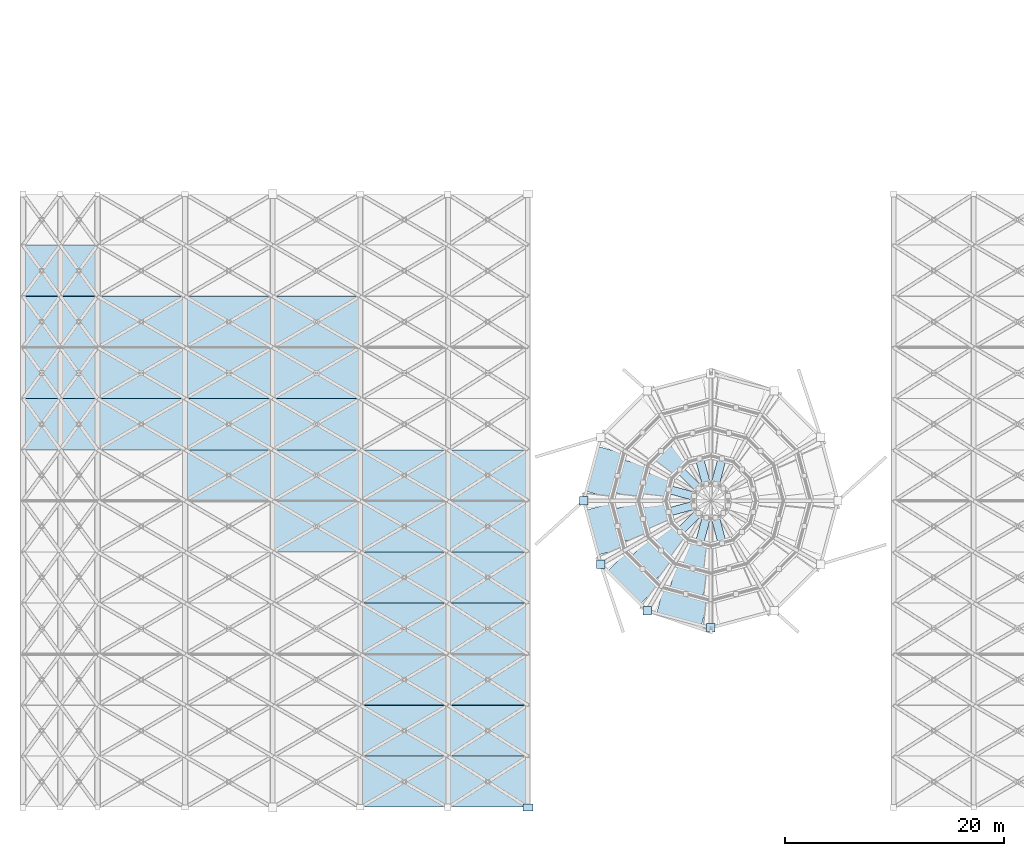
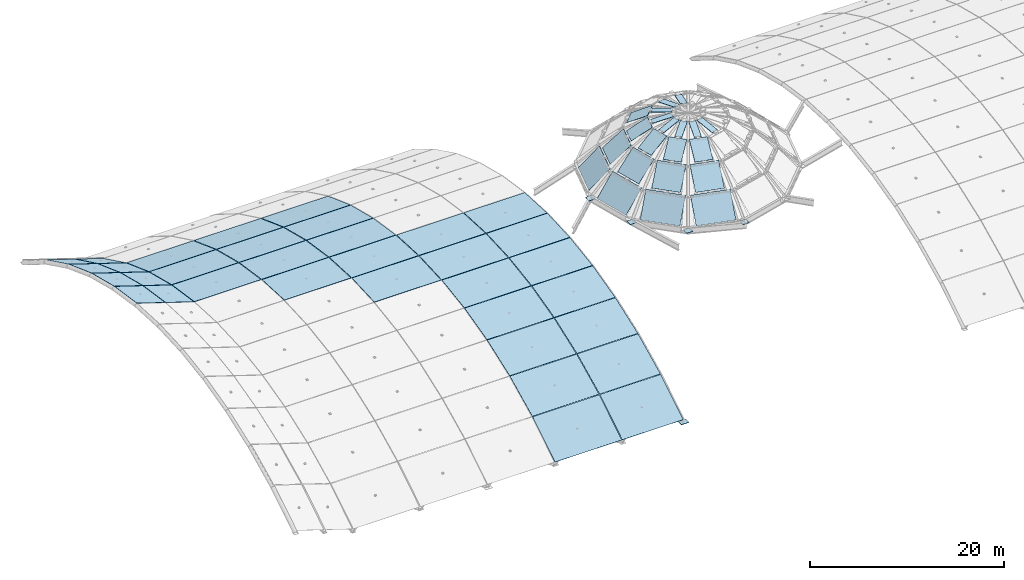
# One storey, part 12 of 21: 60 plates.
"""IFC4 building model written with IfcOpenShell, lengths in metres."""

from ifc_helpers import new_model, si_unit, direction, frame, origin, origin_2d, place, context, subcontext, project, spatial, polyline, rectangle, outline, extrude, material, layer, layer_set, type_object, element, save


model = new_model("IFC4")

# Units and contexts
model_context = context("Model", 3, precision=1e-05, world=origin(), true_north=direction((0.0, 1.0)))
body_context = subcontext(model_context, "Body", "Model", "MODEL_VIEW")
ifc_project = project(units=[si_unit("LENGTHUNIT", "METRE"), si_unit("AREAUNIT", "SQUARE_METRE"), si_unit("VOLUMEUNIT", "CUBIC_METRE"), si_unit("PLANEANGLEUNIT", "RADIAN"), si_unit("MASSUNIT", "GRAM", prefix="KILO")], contexts=[model_context])

# Site, building, storey
site_placement = place(None, origin())
site = spatial("IfcSite", under=ifc_project, at=site_placement, CompositionType="ELEMENT")
building_placement = place(site_placement, origin())
building = spatial("IfcBuilding", under=site, at=building_placement, Name="Solmirada Galleria", CompositionType="ELEMENT")
storey_placement = place(building_placement, frame((0.0, 0.0, 37.5)))
storey = spatial("IfcBuildingStorey", under=building, at=storey_placement, Name="RF", CompositionType="ELEMENT", Elevation=37.5)

# Plates
ifc_material_1 = material(Name="Steel S355 / ASTM A572 Grade 50", Category="steel")
ifc_layer_1 = layer(ifc_material_1, 0.044921875)
ifc_layer_set_1 = layer_set([ifc_layer_1], Name="Steel S355 / ASTM A572 Grade 50")
plate_type_1 = type_object("IfcPlateType", Name="PLT-DOME-SHOE", PredefinedType="SHEET", material=ifc_layer_set_1)
for number, where, z_axis, x_axis, name in (
    (1, (84.39990234375, 60.0, -0.0224609375), (0.0, 0.0, 1.0), (1.0, 0.0, 0.0), "Atrium dome ring shoe node plate 7"),
    (2, (85.9541015625, 54.199951171875, -0.0224609375), (0.0, 0.0, 1.0), (1.0, 0.0, 0.0), "Atrium dome ring shoe node plate 8"),
    (3, (90.199951171875, 49.9541015625, -0.0224609375), (0.0, 0.0, 1.0), (1.0, 0.0, 0.0), "Atrium dome ring shoe node plate 9"),
    (4, (96.0, 48.39990234375, -0.0224609375), (0.0, 0.0, 1.0), (1.0, 0.0, 0.0), "Atrium dome ring shoe node plate 10"),
):
    element("IfcPlate", number, at=place(storey_placement, frame(where, z_axis=z_axis, x_axis=x_axis)), inside=storey, type_object=plate_type_1, Name=name, PredefinedType="SHEET", context=body_context, shape_type="SweptSolid", body=[
        extrude(rectangle(XDim=0.75, YDim=0.75, at=origin_2d()), origin(), (0.0, 0.0, 1.0), 0.044921875),
    ])
ifc_material_2 = material(Name="Laminated solar-control skylight glass", Category="glass")
ifc_layer_2 = layer(ifc_material_2, 0.028076171875)
ifc_layer_set_2 = layer_set([ifc_layer_2], Name="Laminated solar-control skylight glass")
plate_type_2 = type_object("IfcPlateType", Name="PLT-DPANEL-R1", PredefinedType="SHEET", material=ifc_layer_set_2)
plate_1_placement = place(storey_placement, frame((85.7958984375, 64.93017578125, 0.3544921875), z_axis=(-0.693897378358, 0.185918524218, 0.695658487091), x_axis=(-0.258805124756, -0.965929556127, 0.0)))
element("IfcPlate", 5, at=plate_1_placement, inside=storey, type_object=plate_type_2, Name="Atrium dome glass skylight panel 6.1", PredefinedType="SHEET", context=body_context, shape_type="SweptSolid", body=[
    extrude(outline(polyline([(0.0, 0.0), (4.242189530289588, -1.1102230246251565e-16), (4.242326676669658, 3.2551056819344444), (0.000137146380070563, 3.2551056819344444), (0.0, 0.0)])), origin(), (0.0, 0.0, -1.0), 0.028076171875),
])
plate_2_placement = place(storey_placement, frame((84.697998046875, 59.16748046875, 0.3544921875), z_axis=(-0.693897378358, -0.185918524218, 0.695658487091), x_axis=(0.258805124756, -0.965929556127, 0.0)))
element("IfcPlate", 6, at=plate_2_placement, inside=storey, type_object=plate_type_2, Name="Atrium dome glass skylight panel 7.1", PredefinedType="SHEET", context=body_context, shape_type="SweptSolid", body=[
    extrude(outline(polyline([(0.0, 0.0), (4.242189530289588, 1.1102230246251565e-16), (4.242052383909518, 3.2551056819344444), (-0.000137146380070563, 3.2551056819344444), (0.0, 0.0)])), origin(), (0.0, 0.0, -1.0), 0.028076171875),
])
plate_3_placement = place(storey_placement, frame((86.62841796875, 53.6279296875, 0.3544921875), z_axis=(-0.507967085106, -0.507967085106, 0.695657157584), x_axis=(0.707106781187, -0.707106781187, 0.0)))
element("IfcPlate", 7, at=plate_3_placement, inside=storey, type_object=plate_type_2, Name="Atrium dome glass skylight panel 8.1", PredefinedType="SHEET", context=body_context, shape_type="SweptSolid", body=[
    extrude(outline(polyline([(0.0, 0.0), (4.241950153153283, 0.0), (4.242122786644784, 3.255099848147518), (-0.0001726334915006511, 3.255099848147518), (0.0, 0.0)])), origin(), (0.0, 0.0, -1.0), 0.028076171875),
])
plate_4_placement = place(storey_placement, frame((91.06982421875, 49.7958984375, 0.3544921875), z_axis=(-0.185918524218, -0.693897378358, 0.695658487091), x_axis=(0.965929556127, -0.258805124756, 0.0)))
element("IfcPlate", 8, at=plate_4_placement, inside=storey, type_object=plate_type_2, Name="Atrium dome glass skylight panel 9.1", PredefinedType="SHEET", context=body_context, shape_type="SweptSolid", body=[
    extrude(outline(polyline([(0.0, 0.0), (4.242189530289588, -1.1102230246251565e-16), (4.242326676669658, 3.2551056819344444), (0.000137146380070563, 3.2551056819344444), (0.0, 0.0)])), origin(), (0.0, 0.0, -1.0), 0.028076171875),
])
ifc_layer_3 = layer(ifc_material_2, 0.032958984375)
ifc_layer_set_3 = layer_set([ifc_layer_3], Name="Laminated solar-control skylight glass")
plate_type_3 = type_object("IfcPlateType", Name="PLT-DPANEL-R2", PredefinedType="SHEET", material=ifc_layer_set_3)
plate_5_placement = place(storey_placement, frame((87.972412109375, 63.74560546875, 2.830810546875), z_axis=(-0.636223658737, 0.170442686833, 0.752441855939), x_axis=(-0.258766792197, -0.965939825885, 5.082056e-06)))
element("IfcPlate", 9, at=plate_5_placement, inside=storey, type_object=plate_type_3, Name="Atrium dome glass skylight panel 6.2", PredefinedType="SHEET", context=body_context, shape_type="SweptSolid", body=[
    extrude(outline(polyline([(0.0, 0.0), (3.0805049253922, 0.0), (3.0805061832167757, 3.0093918851645194), (0.00023708297737938232, 3.009439420255352), (0.0, 0.0)])), origin(), (0.0, 0.0, -1.0), 0.032958984375),
])
plate_6_placement = place(storey_placement, frame((87.17529296875, 59.22998046875, 2.830810546875), z_axis=(-0.636223658737, -0.170442686833, 0.752441855939), x_axis=(0.258766792197, -0.965939825885, -5.082056e-06)))
element("IfcPlate", 10, at=plate_6_placement, inside=storey, type_object=plate_type_3, Name="Atrium dome glass skylight panel 7.2", PredefinedType="SHEET", context=body_context, shape_type="SweptSolid", body=[
    extrude(outline(polyline([(0.0, 0.0), (3.0805049253922, 0.0), (3.0802678424148207, 3.009439420255352), (-1.2578245754233157e-06, 3.0093918851645194), (0.0, 0.0)])), origin(), (0.0, 0.0, -1.0), 0.032958984375),
])
plate_7_placement = place(storey_placement, frame((88.742431640625, 54.920654296875, 2.830810546875), z_axis=(-0.465719212417, -0.465719212417, 0.752470086031), x_axis=(0.707106781187, -0.707106781187, 0.0)))
element("IfcPlate", 11, at=plate_7_placement, inside=storey, type_object=plate_type_3, Name="Atrium dome glass skylight panel 8.2", PredefinedType="SHEET", context=body_context, shape_type="SweptSolid", body=[
    extrude(outline(polyline([(0.0, 0.0), (3.0804720223370983, 0.0), (3.0804720223370983, 3.009563015920233), (0.0, 3.0095630159202336), (0.0, 0.0)])), origin(), (0.0, 0.0, -1.0), 0.032958984375),
])
plate_8_placement = place(storey_placement, frame((92.25439453125, 51.972412109375, 2.830810546875), z_axis=(-0.170442686833, -0.636223658737, 0.752441855939), x_axis=(0.965939825885, -0.258766792197, 5.082056e-06)))
element("IfcPlate", 12, at=plate_8_placement, inside=storey, type_object=plate_type_3, Name="Atrium dome glass skylight panel 9.2", PredefinedType="SHEET", context=body_context, shape_type="SweptSolid", body=[
    extrude(outline(polyline([(0.0, 0.0), (3.0805049253922, 0.0), (3.0805061832167757, 3.0093918851645194), (0.00023708297737938232, 3.009439420255352), (0.0, 0.0)])), origin(), (0.0, 0.0, -1.0), 0.032958984375),
])
ifc_layer_4 = layer(ifc_material_2, 0.0380859375)
ifc_layer_set_4 = layer_set([ifc_layer_4], Name="Laminated solar-control skylight glass")
plate_type_4 = type_object("IfcPlateType", Name="PLT-DPANEL-R3", PredefinedType="SHEET", material=ifc_layer_set_4)
plate_9_placement = place(storey_placement, frame((92.21337890625, 65.143310546875, 4.91845703125), z_axis=(-0.357002984323, 0.357002984323, 0.863190441542), x_axis=(-0.707106781187, -0.707106781187, 0.0)))
element("IfcPlate", 13, at=plate_9_placement, inside=storey, type_object=plate_type_4, Name="Atrium dome glass skylight panel 5.3", PredefinedType="SHEET", context=body_context, shape_type="SweptSolid", body=[
    extrude(outline(polyline([(0.0, 0.0), (1.9186486245379126, 0.0), (1.918475991046412, 2.623330147133177), (0.0001726334915006511, 2.6233301471331765), (0.0, 0.0)])), origin(), (0.0, 0.0, -1.0), 0.0380859375),
])
plate_10_placement = place(storey_placement, frame((90.14892578125, 62.560791015625, 4.91845703125), z_axis=(-0.487665865111, 0.13064600971, 0.863199643276), x_axis=(-0.25883139858, -0.965922515503, -3.3961514e-05)))
element("IfcPlate", 14, at=plate_10_placement, inside=storey, type_object=plate_type_4, Name="Atrium dome glass skylight panel 6.3", PredefinedType="SHEET", context=body_context, shape_type="SweptSolid", body=[
    extrude(outline(polyline([(0.0, 0.0), (1.9184118548290667, -1.1102230246251565e-16), (1.9183792345238908, 2.6235409483535044), (-0.00020524997239335696, 2.623282838180977), (0.0, 0.0)])), origin(), (0.0, 0.0, -1.0), 0.0380859375),
])
plate_11_placement = place(storey_placement, frame((89.65234375, 59.292236328125, 4.91845703125), z_axis=(-0.487665865111, -0.13064600971, 0.863199643276), x_axis=(0.25883139858, -0.965922515503, 3.3961514e-05)))
element("IfcPlate", 15, at=plate_11_placement, inside=storey, type_object=plate_type_4, Name="Atrium dome glass skylight panel 7.3", PredefinedType="SHEET", context=body_context, shape_type="SweptSolid", body=[
    extrude(outline(polyline([(0.0, 0.0), (1.9184118548290667, 1.1102230246251565e-16), (1.91861710480146, 2.6232828381809776), (3.262030517581825e-05, 2.6235409483535044), (0.0, 0.0)])), origin(), (0.0, 0.0, -1.0), 0.0380859375),
])
plate_12_placement = place(storey_placement, frame((90.856689453125, 56.21337890625, 4.91845703125), z_axis=(-0.357002984323, -0.357002984323, 0.863190441542), x_axis=(0.707106781187, -0.707106781187, 0.0)))
element("IfcPlate", 16, at=plate_12_placement, inside=storey, type_object=plate_type_4, Name="Atrium dome glass skylight panel 8.3", PredefinedType="SHEET", context=body_context, shape_type="SweptSolid", body=[
    extrude(outline(polyline([(0.0, 0.0), (1.9186486245379126, 0.0), (1.918475991046412, 2.623330147133177), (0.0001726334915006511, 2.6233301471331765), (0.0, 0.0)])), origin(), (0.0, 0.0, -1.0), 0.0380859375),
])
plate_13_placement = place(storey_placement, frame((93.439208984375, 54.14892578125, 4.91845703125), z_axis=(-0.13064600971, -0.487665865111, 0.863199643276), x_axis=(0.965922515503, -0.25883139858, -3.3961514e-05)))
element("IfcPlate", 17, at=plate_13_placement, inside=storey, type_object=plate_type_4, Name="Atrium dome glass skylight panel 9.3", PredefinedType="SHEET", context=body_context, shape_type="SweptSolid", body=[
    extrude(outline(polyline([(0.0, 0.0), (1.9184118548290667, -1.1102230246251565e-16), (1.9183792345238908, 2.6235409483535044), (-0.00020524997239335696, 2.623282838180977), (0.0, 0.0)])), origin(), (0.0, 0.0, -1.0), 0.0380859375),
])
ifc_layer_5 = layer(ifc_material_2, 0.04296875)
ifc_layer_set_5 = layer_set([ifc_layer_5], Name="Laminated solar-control skylight glass")
plate_type_5 = type_object("IfcPlateType", Name="PLT-DPANEL-R4", PredefinedType="SHEET", material=ifc_layer_set_5)
plate_14_placement = place(storey_placement, frame((97.376220703125, 63.67431640625, 6.300048828125), z_axis=(0.052100620686, 0.194314215218, 0.97955475145), x_axis=(-0.965844471202, 0.259122473948, -3.0711642e-05)))
element("IfcPlate", 18, at=plate_14_placement, inside=storey, type_object=plate_type_5, Name="Atrium dome glass skylight panel 3.4", PredefinedType="SHEET", context=body_context, shape_type="SweptSolid", body=[
    extrude(outline(polyline([(0.0, 0.0), (0.7565546506075288, -2.7755575615628914e-17), (0.7558702519509218, 2.311941055227765), (-0.0006211363338656044, 2.31171007477346), (0.0, 0.0)])), origin(), (0.0, 0.0, -1.0), 0.04296875),
])
plate_15_placement = place(storey_placement, frame((95.3544921875, 63.870361328125, 6.300048828125), z_axis=(-0.052100620686, 0.194314215218, 0.97955475145), x_axis=(-0.965844471202, -0.259122473948, 3.0711642e-05)))
element("IfcPlate", 19, at=plate_15_placement, inside=storey, type_object=plate_type_5, Name="Atrium dome glass skylight panel 4.4", PredefinedType="SHEET", context=body_context, shape_type="SweptSolid", body=[
    extrude(outline(polyline([(0.0, 0.0), (0.7565546506075288, 2.7755575615628914e-17), (0.7571757869413944, 2.31171007477346), (0.0006843986566068354, 2.3119410552277646), (0.0, 0.0)])), origin(), (0.0, 0.0, -1.0), 0.04296875),
])
plate_16_placement = place(storey_placement, frame((93.505859375, 63.029052734375, 6.300048828125), z_axis=(-0.142251360525, 0.142251360525, 0.979555562925), x_axis=(-0.707106781187, -0.707106781187, 0.0)))
element("IfcPlate", 20, at=plate_16_placement, inside=storey, type_object=plate_type_5, Name="Atrium dome glass skylight panel 5.4", PredefinedType="SHEET", context=body_context, shape_type="SweptSolid", body=[
    extrude(outline(polyline([(0.0, 0.0), (0.7564799597557255, 0.0), (0.7564799597557255, 2.3118710435811285), (0.0, 2.3118710435811285), (0.0, 0.0)])), origin(), (0.0, 0.0, -1.0), 0.04296875),
])
plate_17_placement = place(storey_placement, frame((92.32568359375, 61.376220703125, 6.300048828125), z_axis=(-0.194314215218, 0.052100620686, 0.97955475145), x_axis=(-0.259122473948, -0.965844471202, -3.0711642e-05)))
element("IfcPlate", 21, at=plate_17_placement, inside=storey, type_object=plate_type_5, Name="Atrium dome glass skylight panel 6.4", PredefinedType="SHEET", context=body_context, shape_type="SweptSolid", body=[
    extrude(outline(polyline([(0.0, 0.0), (0.7565546506075288, -2.7755575615628914e-17), (0.7558702519509218, 2.311941055227765), (-0.0006211363338656044, 2.31171007477346), (0.0, 0.0)])), origin(), (0.0, 0.0, -1.0), 0.04296875),
])
plate_18_placement = place(storey_placement, frame((92.129638671875, 59.3544921875, 6.300048828125), z_axis=(-0.194314215218, -0.052100620686, 0.97955475145), x_axis=(0.259122473948, -0.965844471202, 3.0711642e-05)))
element("IfcPlate", 22, at=plate_18_placement, inside=storey, type_object=plate_type_5, Name="Atrium dome glass skylight panel 7.4", PredefinedType="SHEET", context=body_context, shape_type="SweptSolid", body=[
    extrude(outline(polyline([(0.0, 0.0), (0.7565546506075288, 2.7755575615628914e-17), (0.7571757869413944, 2.31171007477346), (0.0006843986566068354, 2.3119410552277646), (0.0, 0.0)])), origin(), (0.0, 0.0, -1.0), 0.04296875),
])
plate_19_placement = place(storey_placement, frame((92.970947265625, 57.505859375, 6.300048828125), z_axis=(-0.142251360525, -0.142251360525, 0.979555562925), x_axis=(0.707106781187, -0.707106781187, 0.0)))
element("IfcPlate", 23, at=plate_19_placement, inside=storey, type_object=plate_type_5, Name="Atrium dome glass skylight panel 8.4", PredefinedType="SHEET", context=body_context, shape_type="SweptSolid", body=[
    extrude(outline(polyline([(0.0, 0.0), (0.7564799597557255, 0.0), (0.7564799597557255, 2.3118710435811285), (0.0, 2.3118710435811285), (0.0, 0.0)])), origin(), (0.0, 0.0, -1.0), 0.04296875),
])
plate_20_placement = place(storey_placement, frame((94.623779296875, 56.32568359375, 6.300048828125), z_axis=(-0.052100620686, -0.194314215218, 0.97955475145), x_axis=(0.965844471202, -0.259122473948, -3.0711642e-05)))
element("IfcPlate", 24, at=plate_20_placement, inside=storey, type_object=plate_type_5, Name="Atrium dome glass skylight panel 9.4", PredefinedType="SHEET", context=body_context, shape_type="SweptSolid", body=[
    extrude(outline(polyline([(0.0, 0.0), (0.7565546506075288, -2.7755575615628914e-17), (0.7558702519509218, 2.311941055227765), (-0.0006211363338656044, 2.31171007477346), (0.0, 0.0)])), origin(), (0.0, 0.0, -1.0), 0.04296875),
])
plate_21_placement = place(storey_placement, frame((96.6455078125, 56.129638671875, 6.300048828125), z_axis=(0.052100620686, -0.194314215218, 0.97955475145), x_axis=(0.965844471202, 0.259122473948, 3.0711642e-05)))
element("IfcPlate", 25, at=plate_21_placement, inside=storey, type_object=plate_type_5, Name="Atrium dome glass skylight panel 10.4", PredefinedType="SHEET", context=body_context, shape_type="SweptSolid", body=[
    extrude(outline(polyline([(0.0, 0.0), (0.7565546506075288, 2.7755575615628914e-17), (0.7571757869413944, 2.31171007477346), (0.0006843986566068354, 2.3119410552277646), (0.0, 0.0)])), origin(), (0.0, 0.0, -1.0), 0.04296875),
])
ifc_layer_6 = layer(ifc_material_1, 0.050048828125)
ifc_layer_set_6 = layer_set([ifc_layer_6], Name="Steel S355 / ASTM A572 Grade 50")
plate_type_6 = type_object("IfcPlateType", Name="PLT-NODE-08", PredefinedType="SHEET", material=ifc_layer_set_6)
plate_22_placement = place(storey_placement, frame((79.300048828125, 32.0, -9.38525390625), z_axis=(0.0, 0.0, 1.0), x_axis=(1.0, 0.0, 0.0)))
element("IfcPlate", 26, at=plate_22_placement, inside=storey, type_object=plate_type_6, Name="Barrel vault arch shoe node plate W07-1", PredefinedType="SHEET", context=body_context, shape_type="SweptSolid", body=[
    extrude(rectangle(XDim=0.89990234375, YDim=0.64990234375, at=origin_2d()), origin(), (0.0, 0.0, 1.0), 0.050048828125),
])
ifc_layer_7 = layer(ifc_material_2, 0.031982421875)
ifc_layer_set_7 = layer_set([ifc_layer_7], Name="Laminated solar-control skylight glass")
plate_type_7 = type_object("IfcPlateType", Name="PLT-VPANEL-00-BAY", PredefinedType="SHEET", material=ifc_layer_set_7)
plate_23_placement = place(storey_placement, frame((64.031982421875, 32.018798828125, -9.058349609375), z_axis=(0.0, -0.530236062005, 0.847850056643), x_axis=(1.0, 0.0, 0.0)))
element("IfcPlate", 27, at=plate_23_placement, inside=storey, type_object=plate_type_7, Name="Barrel gridshell diamond glazing W05-00", PredefinedType="SHEET", context=body_context, shape_type="SweptSolid", body=[
    extrude(outline(polyline([(0.0, 0.0), (7.93603515625, 0.0), (7.93603515625, 5.459869176577636), (0.0, 5.459869176577636), (0.0, 0.0)])), origin(), (0.0, 0.0, -1.0), 0.031982421875),
])
plate_24_placement = place(storey_placement, frame((72.029296875, 32.018798828125, -9.058349609375), z_axis=(0.0, -0.530236062005, 0.847850056643), x_axis=(1.0, 0.0, 0.0)))
element("IfcPlate", 28, at=plate_24_placement, inside=storey, type_object=plate_type_7, Name="Barrel gridshell diamond glazing W06-00", PredefinedType="SHEET", context=body_context, shape_type="SweptSolid", body=[
    extrude(outline(polyline([(0.0, 0.0), (7.241455078125, 0.0), (7.241455078125, 5.459869176577636), (0.0, 5.459869176577636), (0.0, 0.0)])), origin(), (0.0, 0.0, -1.0), 0.031982421875),
])
ifc_layer_8 = layer(ifc_material_2, 0.033935546875)
ifc_layer_set_8 = layer_set([ifc_layer_8], Name="Laminated solar-control skylight glass")
plate_type_8 = type_object("IfcPlateType", Name="PLT-VPANEL-01-BAY", PredefinedType="SHEET", material=ifc_layer_set_8)
plate_25_placement = place(storey_placement, frame((64.031982421875, 36.685302734375, -6.142578125), z_axis=(0.0, -0.437283282733, 0.899323818567), x_axis=(1.0, 0.0, 0.0)))
element("IfcPlate", 29, at=plate_25_placement, inside=storey, type_object=plate_type_8, Name="Barrel gridshell diamond glazing W05-01", PredefinedType="SHEET", context=body_context, shape_type="SweptSolid", body=[
    extrude(outline(polyline([(0.0, 0.0), (7.93603515625, 0.0), (7.93603515625, 5.147639188102807), (0.0, 5.147639188102807), (0.0, 0.0)])), origin(), (0.0, 0.0, -1.0), 0.033935546875),
])
plate_26_placement = place(storey_placement, frame((72.029296875, 36.685302734375, -6.142578125), z_axis=(0.0, -0.437283282733, 0.899323818567), x_axis=(1.0, 0.0, 0.0)))
element("IfcPlate", 30, at=plate_26_placement, inside=storey, type_object=plate_type_8, Name="Barrel gridshell diamond glazing W06-01", PredefinedType="SHEET", context=body_context, shape_type="SweptSolid", body=[
    extrude(outline(polyline([(0.0, 0.0), (7.241455078125, 0.0), (7.241455078125, 5.147639188102807), (0.0, 5.147639188102807), (0.0, 0.0)])), origin(), (0.0, 0.0, -1.0), 0.033935546875),
])
ifc_layer_9 = layer(ifc_material_2, 0.033935546875)
ifc_layer_set_9 = layer_set([ifc_layer_9], Name="Laminated solar-control skylight glass")
plate_type_9 = type_object("IfcPlateType", Name="PLT-VPANEL-01-CAN", PredefinedType="SHEET", material=ifc_layer_set_9)
plate_27_placement = place(storey_placement, frame((33.213623046875, 78.685302734375, -1.69580078125), z_axis=(0.279366517035, 0.419891062735, 0.863507871762), x_axis=(0.951443926884, 1.2485371e-05, -0.307822113956)))
element("IfcPlate", 31, at=plate_27_placement, inside=storey, type_object=plate_type_9, Name="Barrel gridshell diamond glazing W00-10", PredefinedType="SHEET", context=body_context, shape_type="SweptSolid", body=[
    extrude(outline(polyline([(0.0, 0.0), (3.5449615965041272, -5.551115123125783e-17), (4.237919760146736, 5.100784075338006), (0.6930333155258994, 5.100881609350115), (0.0, 0.0)])), origin(), (0.0, 0.0, -1.0), 0.033935546875),
])
plate_28_placement = place(storey_placement, frame((36.613525390625, 78.685302734375, -2.7958984375), z_axis=(0.279398001208, 0.419868641383, 0.863508587626), x_axis=(0.951435619559, 0.0, -0.307847790042)))
element("IfcPlate", 32, at=plate_28_placement, inside=storey, type_object=plate_type_9, Name="Barrel gridshell diamond glazing W01-10", PredefinedType="SHEET", context=body_context, shape_type="SweptSolid", body=[
    extrude(outline(polyline([(0.0, 0.0), (3.5449615980712794, 0.0), (4.237919758273243, 5.100784076894575), (0.692958160201963, 5.100784076894575), (0.0, 0.0)])), origin(), (0.0, 0.0, -1.0), 0.033935546875),
])
ifc_layer_10 = layer(ifc_material_2, 0.035888671875)
ifc_layer_set_10 = layer_set([ifc_layer_10], Name="Laminated solar-control skylight glass")
plate_type_10 = type_object("IfcPlateType", Name="PLT-VPANEL-02-BAY", PredefinedType="SHEET", material=ifc_layer_set_10)
for number, where, z_axis, x_axis, name in (
    (33, (40.031982421875, 74.018798828125, -2.188720703125), (0.0, 0.342359685666, 0.939568968001), (1.0, 0.0, 0.0), "Barrel gridshell diamond glazing W02-09"),
    (34, (48.031982421875, 74.018798828125, -2.188720703125), (0.0, 0.342359685666, 0.939568968001), (1.0, 0.0, 0.0), "Barrel gridshell diamond glazing W03-09"),
    (35, (56.031982421875, 74.018798828125, -2.188720703125), (0.0, 0.342359685666, 0.939568968001), (1.0, 0.0, 0.0), "Barrel gridshell diamond glazing W04-09"),
    (36, (64.031982421875, 41.35205078125, -3.87548828125), (0.0, -0.342359685666, 0.939568968001), (1.0, 0.0, 0.0), "Barrel gridshell diamond glazing W05-02"),
):
    element("IfcPlate", number, at=place(storey_placement, frame(where, z_axis=z_axis, x_axis=x_axis)), inside=storey, type_object=plate_type_10, Name=name, PredefinedType="SHEET", context=body_context, shape_type="SweptSolid", body=[
        extrude(outline(polyline([(0.0, 0.0), (7.93603515625, 0.0), (7.93603515625, 4.926887273079958), (0.0, 4.926887273079958), (0.0, 0.0)])), origin(), (0.0, 0.0, -1.0), 0.035888671875),
    ])
plate_29_placement = place(storey_placement, frame((72.029296875, 41.35205078125, -3.87548828125), z_axis=(0.0, -0.342359685666, 0.939568968001), x_axis=(1.0, 0.0, 0.0)))
element("IfcPlate", 37, at=plate_29_placement, inside=storey, type_object=plate_type_10, Name="Barrel gridshell diamond glazing W06-02", PredefinedType="SHEET", context=body_context, shape_type="SweptSolid", body=[
    extrude(outline(polyline([(0.0, 0.0), (7.241455078125, 0.0), (7.241455078125, 4.926887273079958), (0.0, 4.926887273079958), (0.0, 0.0)])), origin(), (0.0, 0.0, -1.0), 0.035888671875),
])
ifc_layer_11 = layer(ifc_material_2, 0.035888671875)
ifc_layer_set_11 = layer_set([ifc_layer_11], Name="Laminated solar-control skylight glass")
plate_type_11 = type_object("IfcPlateType", Name="PLT-VPANEL-02-CAN", PredefinedType="SHEET", material=ifc_layer_set_11)
plate_30_placement = place(storey_placement, frame((33.213623046875, 74.018798828125, 0.0068359375), z_axis=(0.290864206832, 0.327557540647, 0.8989460889), x_axis=(0.951435619559, 0.0, -0.307847790042)))
element("IfcPlate", 38, at=plate_30_placement, inside=storey, type_object=plate_type_11, Name="Barrel gridshell diamond glazing W00-09", PredefinedType="SHEET", context=body_context, shape_type="SweptSolid", body=[
    extrude(outline(polyline([(0.0, 0.0), (3.5449615980712794, 0.0), (4.064229269311557, 4.899446834821456), (0.5192676712402778, 4.899446834821456), (0.0, 0.0)])), origin(), (0.0, 0.0, -1.0), 0.035888671875),
])
plate_31_placement = place(storey_placement, frame((36.613525390625, 74.018798828125, -1.09326171875), z_axis=(0.290804639925, 0.327563739687, 0.89896310149), x_axis=(0.951455789712, 0.0, -0.307785445112)))
element("IfcPlate", 39, at=plate_31_placement, inside=storey, type_object=plate_type_11, Name="Barrel gridshell diamond glazing W01-09", PredefinedType="SHEET", context=body_context, shape_type="SweptSolid", body=[
    extrude(outline(polyline([(0.0, 0.0), (3.5448864475297985, 0.0), (4.064048957363751, 4.899457979207515), (0.5191625098339526, 4.899457979207515), (0.0, 0.0)])), origin(), (0.0, 0.0, -1.0), 0.035888671875),
])
ifc_layer_12 = layer(ifc_material_2, 0.0380859375)
ifc_layer_set_12 = layer_set([ifc_layer_12], Name="Laminated solar-control skylight glass")
plate_type_12 = type_object("IfcPlateType", Name="PLT-VPANEL-03-BAY", PredefinedType="SHEET", material=ifc_layer_set_12)
for number, where, z_axis, x_axis, name in (
    (40, (40.031982421875, 69.35205078125, -1.003662109375), (0.0, 0.245745993637, 0.969334259485), (1.0, 0.0, 0.0), "Barrel gridshell diamond glazing W02-08"),
    (41, (48.031982421875, 69.35205078125, -1.003662109375), (0.0, 0.245745993637, 0.969334259485), (1.0, 0.0, 0.0), "Barrel gridshell diamond glazing W03-08"),
    (42, (56.031982421875, 69.35205078125, -1.003662109375), (0.0, 0.245745993637, 0.969334259485), (1.0, 0.0, 0.0), "Barrel gridshell diamond glazing W04-08"),
    (43, (64.031982421875, 46.018798828125, -2.17724609375), (0.0, -0.245745993637, 0.969334259485), (1.0, 0.0, 0.0), "Barrel gridshell diamond glazing W05-03"),
):
    element("IfcPlate", number, at=place(storey_placement, frame(where, z_axis=z_axis, x_axis=x_axis)), inside=storey, type_object=plate_type_12, Name=name, PredefinedType="SHEET", context=body_context, shape_type="SweptSolid", body=[
        extrude(outline(polyline([(0.0, 0.0), (7.93603515625, 0.0), (7.93603515625, 4.775597628297959), (0.0, 4.775597628297959), (0.0, 0.0)])), origin(), (0.0, 0.0, -1.0), 0.0380859375),
    ])
plate_32_placement = place(storey_placement, frame((72.029296875, 46.018798828125, -2.17724609375), z_axis=(0.0, -0.245745993637, 0.969334259485), x_axis=(1.0, 0.0, 0.0)))
element("IfcPlate", 44, at=plate_32_placement, inside=storey, type_object=plate_type_12, Name="Barrel gridshell diamond glazing W06-03", PredefinedType="SHEET", context=body_context, shape_type="SweptSolid", body=[
    extrude(outline(polyline([(0.0, 0.0), (7.241455078125, 0.0), (7.241455078125, 4.775597628297959), (0.0, 4.775597628297959), (0.0, 0.0)])), origin(), (0.0, 0.0, -1.0), 0.0380859375),
])
ifc_layer_13 = layer(ifc_material_2, 0.0380859375)
ifc_layer_set_13 = layer_set([ifc_layer_13], Name="Laminated solar-control skylight glass")
plate_type_13 = type_object("IfcPlateType", Name="PLT-VPANEL-03-CAN", PredefinedType="SHEET", material=ifc_layer_set_13)
plate_33_placement = place(storey_placement, frame((33.213623046875, 69.35205078125, 1.19189453125), z_axis=(0.29923283845, 0.23450885949, 0.924913673384), x_axis=(0.95144625964, -7.469098e-06, -0.307814903734)))
element("IfcPlate", 45, at=plate_33_placement, inside=storey, type_object=plate_type_13, Name="Barrel gridshell diamond glazing W00-08", PredefinedType="SHEET", context=body_context, shape_type="SweptSolid", body=[
    extrude(outline(polyline([(0.0, 0.0), (3.544886445731796, -5.551115123125783e-17), (3.9061736614493383, 4.761972001290668), (0.3612120655945604, 4.761917527459561), (0.0, 0.0)])), origin(), (0.0, 0.0, -1.0), 0.0380859375),
])
plate_34_placement = place(storey_placement, frame((36.613525390625, 69.35205078125, 0.092041015625), z_axis=(0.29923283845, 0.23450885949, 0.924913673384), x_axis=(0.951445150395, 7.46894e-06, -0.307818332357)))
element("IfcPlate", 46, at=plate_34_placement, inside=storey, type_object=plate_type_13, Name="Barrel gridshell diamond glazing W01-08", PredefinedType="SHEET", context=body_context, shape_type="SweptSolid", body=[
    extrude(outline(polyline([(0.0, 0.0), (3.544961596273316, 5.551115123125783e-17), (3.906246836071012, 4.761911976313924), (0.36136039075774445, 4.761966448990227), (0.0, 0.0)])), origin(), (0.0, 0.0, -1.0), 0.0380859375),
])
ifc_layer_14 = layer(ifc_material_2, 0.0400390625)
ifc_layer_set_14 = layer_set([ifc_layer_14], Name="Laminated solar-control skylight glass")
plate_type_14 = type_object("IfcPlateType", Name="PLT-VPANEL-04-BAY", PredefinedType="SHEET", material=ifc_layer_set_14)
for number, where, z_axis, x_axis, name in (
    (47, (40.031982421875, 64.685302734375, -0.3037109375), (0.0, 0.147917062763, 0.988999768728), (1.0, 0.0, 0.0), "Barrel gridshell diamond glazing W02-07"),
    (48, (48.031982421875, 64.685302734375, -0.3037109375), (0.0, 0.147917062763, 0.988999768728), (1.0, 0.0, 0.0), "Barrel gridshell diamond glazing W03-07"),
    (49, (56.031982421875, 64.685302734375, -0.3037109375), (0.0, 0.147917062763, 0.988999768728), (1.0, 0.0, 0.0), "Barrel gridshell diamond glazing W04-07"),
    (50, (64.031982421875, 50.685302734375, -0.99609375), (0.0, -0.147917062763, 0.988999768728), (1.0, 0.0, 0.0), "Barrel gridshell diamond glazing W05-04"),
):
    element("IfcPlate", number, at=place(storey_placement, frame(where, z_axis=z_axis, x_axis=x_axis)), inside=storey, type_object=plate_type_14, Name=name, PredefinedType="SHEET", context=body_context, shape_type="SweptSolid", body=[
        extrude(outline(polyline([(0.0, 0.0), (7.93603515625, 0.0), (7.93603515625, 4.680885352688401), (0.0, 4.680885352688401), (0.0, 0.0)])), origin(), (0.0, 0.0, -1.0), 0.0400390625),
    ])
plate_35_placement = place(storey_placement, frame((72.029296875, 50.685302734375, -0.99609375), z_axis=(0.0, -0.147917062763, 0.988999768728), x_axis=(1.0, 0.0, 0.0)))
element("IfcPlate", 51, at=plate_35_placement, inside=storey, type_object=plate_type_14, Name="Barrel gridshell diamond glazing W06-04", PredefinedType="SHEET", context=body_context, shape_type="SweptSolid", body=[
    extrude(outline(polyline([(0.0, 0.0), (7.241455078125, 0.0), (7.241455078125, 4.680885352688401), (0.0, 4.680885352688401), (0.0, 0.0)])), origin(), (0.0, 0.0, -1.0), 0.0400390625),
])
ifc_layer_15 = layer(ifc_material_2, 0.0400390625)
ifc_layer_set_15 = layer_set([ifc_layer_15], Name="Laminated solar-control skylight glass")
plate_type_15 = type_object("IfcPlateType", Name="PLT-VPANEL-04-CAN", PredefinedType="SHEET", material=ifc_layer_set_15)
plate_36_placement = place(storey_placement, frame((33.213623046875, 64.685302734375, 1.89208984375), z_axis=(0.304745546919, 0.140905505243, 0.941953178361), x_axis=(0.951445504799, 4.570417e-06, -0.307817236972)))
element("IfcPlate", 52, at=plate_36_placement, inside=storey, type_object=plate_type_15, Name="Barrel gridshell diamond glazing W00-07", PredefinedType="SHEET", context=body_context, shape_type="SweptSolid", body=[
    extrude(outline(polyline([(0.0, 0.0), (3.544961596206458, -2.7755575615628914e-17), (3.7581101187394164, 4.676029873635688), (0.21322367322557856, 4.6760626037423165), (0.0, 0.0)])), origin(), (0.0, 0.0, -1.0), 0.0400390625),
])
plate_37_placement = place(storey_placement, frame((36.613525390625, 64.685302734375, 0.7919921875), z_axis=(0.304777538576, 0.140879696615, 0.941946688014), x_axis=(0.951435619559, 0.0, -0.307847790042)))
element("IfcPlate", 53, at=plate_37_placement, inside=storey, type_object=plate_type_15, Name="Barrel gridshell diamond glazing W01-07", PredefinedType="SHEET", context=body_context, shape_type="SweptSolid", body=[
    extrude(outline(polyline([(0.0, 0.0), (3.5449615980712794, 0.0), (3.7581101167624693, 4.676029875224556), (0.21314851869118948, 4.676029875224556), (0.0, 0.0)])), origin(), (0.0, 0.0, -1.0), 0.0400390625),
])
ifc_layer_16 = layer(ifc_material_2, 0.0419921875)
ifc_layer_set_16 = layer_set([ifc_layer_16], Name="Laminated solar-control skylight glass")
plate_type_16 = type_object("IfcPlateType", Name="PLT-VPANEL-05-BAY", PredefinedType="SHEET", material=ifc_layer_set_16)
for number, where, z_axis, x_axis, name in (
    (54, (48.031982421875, 60.018798828125, -0.07080078125), (0.0, 0.049409542181, 0.998778602665), (1.0, 0.0, 0.0), "Barrel gridshell diamond glazing W03-06"),
    (55, (56.031982421875, 55.35205078125, -0.2998046875), (0.0, -0.049409542181, 0.998778602665), (1.0, 0.0, 0.0), "Barrel gridshell diamond glazing W04-05"),
    (56, (56.031982421875, 60.018798828125, -0.07080078125), (0.0, 0.049409542181, 0.998778602665), (1.0, 0.0, 0.0), "Barrel gridshell diamond glazing W04-06"),
    (57, (64.031982421875, 55.35205078125, -0.2998046875), (0.0, -0.049409542181, 0.998778602665), (1.0, 0.0, 0.0), "Barrel gridshell diamond glazing W05-05"),
    (58, (64.031982421875, 60.018798828125, -0.07080078125), (0.0, 0.049409542181, 0.998778602665), (1.0, 0.0, 0.0), "Barrel gridshell diamond glazing W05-06"),
):
    element("IfcPlate", number, at=place(storey_placement, frame(where, z_axis=z_axis, x_axis=x_axis)), inside=storey, type_object=plate_type_16, Name=name, PredefinedType="SHEET", context=body_context, shape_type="SweptSolid", body=[
        extrude(outline(polyline([(0.0, 0.0), (7.93603515625, 0.0), (7.93603515625, 4.634811336840082), (0.0, 4.634811336840082), (0.0, 0.0)])), origin(), (0.0, 0.0, -1.0), 0.0419921875),
    ])
for number, where, z_axis, x_axis, name in (
    (59, (72.029296875, 55.35205078125, -0.2998046875), (0.0, -0.049409542181, 0.998778602665), (1.0, 0.0, 0.0), "Barrel gridshell diamond glazing W06-05"),
    (60, (72.029296875, 60.018798828125, -0.07080078125), (0.0, 0.049409542181, 0.998778602665), (1.0, 0.0, 0.0), "Barrel gridshell diamond glazing W06-06"),
):
    element("IfcPlate", number, at=place(storey_placement, frame(where, z_axis=z_axis, x_axis=x_axis)), inside=storey, type_object=plate_type_16, Name=name, PredefinedType="SHEET", context=body_context, shape_type="SweptSolid", body=[
        extrude(outline(polyline([(0.0, 0.0), (7.241455078125, 0.0), (7.241455078125, 4.634811336840082), (0.0, 4.634811336840082), (0.0, 0.0)])), origin(), (0.0, 0.0, -1.0), 0.0419921875),
    ])

save(model, "model.ifc")
